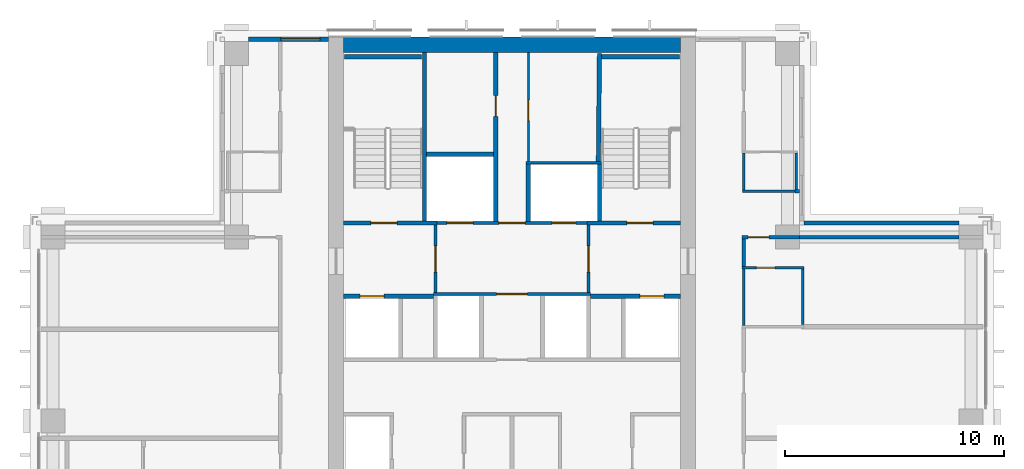
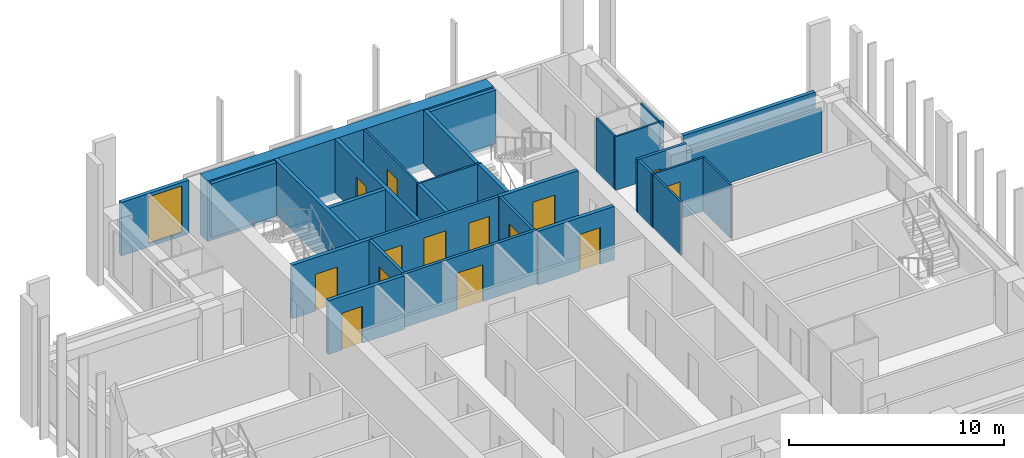
# One storey, part 12 of 16: 31 walls, 14 doors, 1 window, 15 openings.
"""IFC4 building model written with IfcOpenShell, lengths in metres."""

from ifc_helpers import new_model, si_unit, direction, frame, frame_2d, origin, place, context, subcontext, project, spatial, rectangle, extrude, material, layer, layer_set, type_object, element, fill, save


model = new_model("IFC4")

# Units and contexts
model_context = context("Model", 3, precision=1e-05, world=origin(), true_north=direction((0.0, 1.0)))
body_context = subcontext(model_context, "Body", "Model", "MODEL_VIEW")
ifc_project = project(units=[si_unit("LENGTHUNIT", "METRE"), si_unit("AREAUNIT", "SQUARE_METRE"), si_unit("VOLUMEUNIT", "CUBIC_METRE"), si_unit("PLANEANGLEUNIT", "RADIAN"), si_unit("MASSUNIT", "GRAM", prefix="KILO")], contexts=[model_context])

# Site, building, storey
site_placement = place(None, origin())
site = spatial("IfcSite", under=ifc_project, at=site_placement, CompositionType="ELEMENT")
building_placement = place(site_placement, origin())
building = spatial("IfcBuilding", under=site, at=building_placement, Name="Vermilion Ogive Tower", CompositionType="ELEMENT")
storey_placement = place(building_placement, frame((0.0, 0.0, 150.35009765625)))
storey = spatial("IfcBuildingStorey", under=building, at=storey_placement, Name="L38", CompositionType="ELEMENT", Elevation=150.35009765625)

# Wall
ifc_material_1 = material(Name="Concrete B60", Category="concrete")
ifc_layer_1 = layer(ifc_material_1, 0.699951171875)
ifc_layer_set_1 = layer_set([ifc_layer_1], Name="Core wall 700 B60")
wall_type_1 = type_object("IfcWallType", Name="Core wall 700 B60", PredefinedType="SHEAR", material=ifc_layer_set_1)
wall_1_placement = place(storey_placement, frame((-7.699951171875, 21.39990234375, -0.400146484375), z_axis=(0.0, 0.0, 1.0), x_axis=(1.0, 0.0, 0.0)))
element("IfcWall", 1, at=wall_1_placement, inside=storey, type_object=wall_type_1, Name="L38-CORE-N", PredefinedType="SHEAR", context=body_context, shape_type="SweptSolid", body=[
    extrude(rectangle(XDim=15.39990234375, YDim=0.699951171875, at=frame_2d((7.699951171875, 0.0))), origin(), (0.0, 0.0, 1.0), 3.449951171875),
])

# Wall, opening, door
ifc_material_2 = material(Name="Gypsum board partition on steel studs", Category="steel")
ifc_layer_2 = layer(ifc_material_2, 0.10009765625)
ifc_layer_set_2 = layer_set([ifc_layer_2], Name="Partition 100 bath")
wall_type_2 = type_object("IfcWallType", Name="Partition 100 bath", PredefinedType="PARTITIONING", material=ifc_layer_set_2)
wall_2_placement = place(storey_placement, frame((10.52490234375, 11.199951171875, 0.0), z_axis=(0.0, 0.0, 1.0), x_axis=(1.0, 0.0, 0.0)))
wall_2 = element("IfcWall", 2, at=wall_2_placement, inside=storey, type_object=wall_type_2, Name="L38-W-W031", PredefinedType="PARTITIONING", context=body_context, shape_type="SweptSolid", body=[
    extrude(rectangle(XDim=2.8251953125, YDim=0.10009765625, at=frame_2d((1.41259765625, 0.0))), origin(), (0.0, 0.0, 1.0), 3.0498046875),
])
opening_1_placement = place(wall_2_placement, frame((0.64990234375, 0.0, 0.0)))
opening_1 = element("IfcOpeningElement", 3, at=opening_1_placement, cuts=wall_2, Name="Opening D3G3016", PredefinedType="OPENING", context=body_context, shape_type="SweptSolid", body=[
    extrude(rectangle(XDim=0.85009765625, YDim=2.10009765625, at=frame_2d((0.425048828125, 1.050048828125))), frame((0.0, 0.06005859375, 0.0), z_axis=(0.0, -1.0, 0.0), x_axis=(1.0, 0.0, 0.0)), (0.0, 0.0, 1.0), 0.1201171875),
])
ifc_material_3 = material(Name="Timber door leaf", Category="wood")
door_type_1 = type_object("IfcDoorType", Name="Bath door 850 x 2100 FD30", OperationType="SINGLE_SWING_LEFT", PredefinedType="DOOR", material=ifc_material_3)
door_1_placement = place(opening_1_placement, origin())
door_1 = element("IfcDoor", 4, at=door_1_placement, inside=storey, type_object=door_type_1, Name="L38-D-D016", OperationType="SINGLE_SWING_RIGHT", OverallHeight=2.10009765625, OverallWidth=0.85009765625, PredefinedType="DOOR", context=body_context, shape_type="SweptSolid", body=[
    extrude(rectangle(XDim=0.85009765625, YDim=2.10009765625, at=frame_2d((0.425048828125, 1.050048828125))), frame((0.0, 0.02490234375, 0.0), z_axis=(0.0, -1.0, 0.0), x_axis=(1.0, 0.0, 0.0)), (0.0, 0.0, 1.0), 0.050048828125),
])
fill(opening_1, door_1)

# Walls
wall_3_placement = place(storey_placement, frame((10.550048828125, 14.699951171875, 0.0), z_axis=(0.0, 0.0, 1.0), x_axis=(1.0, 0.0, 0.0)))
element("IfcWall", 5, at=wall_3_placement, inside=storey, type_object=wall_type_2, Name="L38-W-W036", PredefinedType="PARTITIONING", context=body_context, shape_type="SweptSolid", body=[
    extrude(rectangle(XDim=2.5, YDim=0.10009765625, at=frame_2d((1.25, 0.0))), origin(), (0.0, 0.0, 1.0), 3.0498046875),
])
wall_4_placement = place(storey_placement, frame((10.60009765625, 8.550048828125, 0.0), z_axis=(0.0, 0.0, 1.0), x_axis=(0.0, 1.0, 0.0)))
element("IfcWall", 6, at=wall_4_placement, inside=storey, type_object=wall_type_2, Name="L38-W-W060", PredefinedType="PARTITIONING", context=body_context, shape_type="SweptSolid", body=[
    extrude(rectangle(XDim=2.599853515625, YDim=0.10009765625, at=frame_2d((1.2998046875, 0.0))), origin(), (0.0, 0.0, 1.0), 3.0498046875),
])
wall_5_placement = place(storey_placement, frame((10.60009765625, 14.75, 0.0), z_axis=(0.0, 0.0, 1.0), x_axis=(0.0, 1.0, 0.0)))
element("IfcWall", 7, at=wall_5_placement, inside=storey, type_object=wall_type_2, Name="L38-W-W062", PredefinedType="PARTITIONING", context=body_context, shape_type="SweptSolid", body=[
    extrude(rectangle(XDim=1.699951171875, YDim=0.10009765625, at=frame_2d((0.85009765625, 0.0))), origin(), (0.0, 0.0, 1.0), 3.0498046875),
])
wall_6_placement = place(storey_placement, frame((13.0, 14.77490234375, 0.0), z_axis=(0.0, 0.0, 1.0), x_axis=(0.0, 1.0, 0.0)))
element("IfcWall", 8, at=wall_6_placement, inside=storey, type_object=wall_type_2, Name="L38-W-W065", PredefinedType="PARTITIONING", context=body_context, shape_type="SweptSolid", body=[
    extrude(rectangle(XDim=1.675048828125, YDim=0.10009765625, at=frame_2d((0.83740234375, 0.0))), origin(), (0.0, 0.0, 1.0), 3.0498046875),
])
wall_7_placement = place(storey_placement, frame((13.300048828125, 8.60009765625, 0.0), z_axis=(0.0, 0.0, 1.0), x_axis=(0.0, 1.0, 0.0)))
element("IfcWall", 9, at=wall_7_placement, inside=storey, type_object=wall_type_2, Name="L38-W-W066", PredefinedType="PARTITIONING", context=body_context, shape_type="SweptSolid", body=[
    extrude(rectangle(XDim=2.5498046875, YDim=0.10009765625, at=frame_2d((1.27490234375, 0.0))), origin(), (0.0, 0.0, 1.0), 3.0498046875),
])
wall_8_placement = place(storey_placement, frame((0.64990234375, 16.0, 0.0), z_axis=(0.0, 0.0, 1.0), x_axis=(1.0, 0.0, 0.0)))
element("IfcWall", 10, at=wall_8_placement, inside=storey, type_object=wall_type_2, Name="L38-CK-W-W018", PredefinedType="PARTITIONING", context=body_context, shape_type="SweptSolid", body=[
    extrude(rectangle(XDim=3.4501953125, YDim=0.10009765625, at=frame_2d((1.72509765625, 0.0))), origin(), (0.0, 0.0, 1.0), 3.0498046875),
])

# Wall, opening, door
wall_9_placement = place(storey_placement, frame((0.75, 16.050048828125, 0.0), z_axis=(0.0, 0.0, 1.0), x_axis=(0.0, 1.0, 0.0)))
wall_9 = element("IfcWall", 11, at=wall_9_placement, inside=storey, type_object=wall_type_2, Name="L38-CK-W-W030", PredefinedType="PARTITIONING", context=body_context, shape_type="SweptSolid", body=[
    extrude(rectangle(XDim=4.9990234375, YDim=0.10009765625, at=frame_2d((2.49951171875, 0.0))), origin(), (0.0, 0.0, 1.0), 3.0498046875),
])
opening_2_placement = place(wall_9_placement, frame((1.875, 0.0, 0.0)))
opening_2 = element("IfcOpeningElement", 12, at=opening_2_placement, cuts=wall_9, Name="Opening DAA335", PredefinedType="OPENING", context=body_context, shape_type="SweptSolid", body=[
    extrude(rectangle(XDim=0.949951171875, YDim=2.10009765625, at=frame_2d((0.47509765625, 1.050048828125))), frame((0.0, 0.06005859375, 0.0), z_axis=(0.0, -1.0, 0.0), x_axis=(1.0, 0.0, 0.0)), (0.0, 0.0, 1.0), 0.1201171875),
])
ifc_material_4 = material(Name="Timber door leaf", Category="wood")
door_type_2 = type_object("IfcDoorType", Name="Service door 950 x 2100 FD60", OperationType="SINGLE_SWING_LEFT", PredefinedType="DOOR", material=ifc_material_4)
door_2_placement = place(opening_2_placement, origin())
door_2 = element("IfcDoor", 13, at=door_2_placement, inside=storey, type_object=door_type_2, Name="L38-CK-D-D022", OperationType="SINGLE_SWING_LEFT", OverallHeight=2.10009765625, OverallWidth=0.949951171875, PredefinedType="DOOR", context=body_context, shape_type="SweptSolid", body=[
    extrude(rectangle(XDim=0.949951171875, YDim=2.10009765625, at=frame_2d((0.47509765625, 1.050048828125))), frame((0.0, 0.02490234375, 0.0), z_axis=(0.0, -1.0, 0.0), x_axis=(1.0, 0.0, 0.0)), (0.0, 0.0, 1.0), 0.050048828125),
])
fill(opening_2, door_2)

ifc_material_5 = material(Name="Gypsum board partition on steel studs", Category="steel")
ifc_layer_3 = layer(ifc_material_5, 0.14990234375)
ifc_layer_set_3 = layer_set([ifc_layer_3], Name="Partition 150 corridor")
wall_type_3 = type_object("IfcWallType", Name="Partition 150 corridor", PredefinedType="PARTITIONING", material=ifc_layer_set_3)
wall_10_placement = place(storey_placement, frame((10.52490234375, 12.60009765625, 0.0), z_axis=(0.0, 0.0, 1.0), x_axis=(1.0, 0.0, 0.0)))
wall_10 = element("IfcWall", 14, at=wall_10_placement, inside=storey, type_object=wall_type_3, Name="L38-W-W033", PredefinedType="PARTITIONING", context=body_context, shape_type="SweptSolid", body=[
    extrude(rectangle(XDim=2.625, YDim=0.14990234375, at=frame_2d((1.3125, 0.0))), origin(), (0.0, 0.0, 1.0), 3.0498046875),
])
opening_3_placement = place(wall_10_placement, frame((0.275146484375, 0.0, 0.0)))
opening_3 = element("IfcOpeningElement", 15, at=opening_3_placement, cuts=wall_10, Name="Opening D3G3015", PredefinedType="OPENING", context=body_context, shape_type="SweptSolid", body=[
    extrude(rectangle(XDim=0.949951171875, YDim=2.10009765625, at=frame_2d((0.47509765625, 1.050048828125))), frame((0.0, 0.0849609375, 0.0), z_axis=(0.0, -1.0, 0.0), x_axis=(1.0, 0.0, 0.0)), (0.0, 0.0, 1.0), 0.169921875),
])
ifc_material_6 = material(Name="Timber door leaf", Category="wood")
door_type_3 = type_object("IfcDoorType", Name="Unit door 950 x 2100 FD30S", OperationType="SINGLE_SWING_LEFT", PredefinedType="DOOR", material=ifc_material_6)
door_3_placement = place(opening_3_placement, origin())
door_3 = element("IfcDoor", 16, at=door_3_placement, inside=storey, type_object=door_type_3, Name="L38-D-D015", OperationType="SINGLE_SWING_RIGHT", OverallHeight=2.10009765625, OverallWidth=0.949951171875, PredefinedType="DOOR", context=body_context, shape_type="SweptSolid", body=[
    extrude(rectangle(XDim=0.949951171875, YDim=2.10009765625, at=frame_2d((0.47509765625, 1.050048828125))), frame((0.0, 0.02490234375, 0.0), z_axis=(0.0, -1.0, 0.0), x_axis=(1.0, 0.0, 0.0)), (0.0, 0.0, 1.0), 0.050048828125),
])
fill(opening_3, door_3)

# Walls
wall_11_placement = place(storey_placement, frame((12.949951171875, 14.699951171875, 0.0), z_axis=(0.0, 0.0, 1.0), x_axis=(1.0, 0.0, 0.0)))
element("IfcWall", 17, at=wall_11_placement, inside=storey, type_object=wall_type_3, Name="L38-W-W037", PredefinedType="PARTITIONING", context=body_context, shape_type="SweptSolid", body=[
    extrude(rectangle(XDim=0.199951171875, YDim=0.14990234375, at=frame_2d((0.10009765625, 0.0))), origin(), (0.0, 0.0, 1.0), 3.0498046875),
])
wall_12_placement = place(storey_placement, frame((10.60009765625, 11.25, 0.0), z_axis=(0.0, 0.0, 1.0), x_axis=(0.0, 1.0, 0.0)))
element("IfcWall", 18, at=wall_12_placement, inside=storey, type_object=wall_type_3, Name="L38-W-W061", PredefinedType="PARTITIONING", context=body_context, shape_type="SweptSolid", body=[
    extrude(rectangle(XDim=1.27490234375, YDim=0.14990234375, at=frame_2d((0.637451171875, 0.0))), origin(), (0.0, 0.0, 1.0), 3.0498046875),
])

# Wall, opening, door
wall_13_placement = place(storey_placement, frame((-3.60009765625, 10.0, 0.0), z_axis=(0.0, 0.0, 1.0), x_axis=(1.0, 0.0, 0.0)))
wall_13 = element("IfcWall", 19, at=wall_13_placement, inside=storey, type_object=wall_type_3, Name="L38-CK-W-W014", PredefinedType="PARTITIONING", context=body_context, shape_type="SweptSolid", body=[
    extrude(rectangle(XDim=7.2001953125, YDim=0.14990234375, at=frame_2d((3.60009765625, 0.0))), origin(), (0.0, 0.0, 1.0), 3.0498046875),
])
opening_4_placement = place(wall_13_placement, frame((2.900146484375, 0.0, 0.0)))
opening_4 = element("IfcOpeningElement", 20, at=opening_4_placement, cuts=wall_13, Name="Opening DAA326", PredefinedType="OPENING", context=body_context, shape_type="SweptSolid", body=[
    extrude(rectangle(XDim=1.39990234375, YDim=2.10009765625, at=frame_2d((0.699951171875, 1.050048828125))), frame((0.0, 0.0849609375, 0.0), z_axis=(0.0, -1.0, 0.0), x_axis=(1.0, 0.0, 0.0)), (0.0, 0.0, 1.0), 0.169921875),
])
ifc_material_7 = material(Name="Timber door leaf", Category="wood")
door_type_4 = type_object("IfcDoorType", Name="Lobby door 1400 x 2100 FD60S", OperationType="SINGLE_SWING_LEFT", PredefinedType="DOOR", material=ifc_material_7)
door_4_placement = place(opening_4_placement, origin())
door_4 = element("IfcDoor", 21, at=door_4_placement, inside=storey, type_object=door_type_4, Name="L38-CK-D-D017", OperationType="SINGLE_SWING_RIGHT", OverallHeight=2.10009765625, OverallWidth=1.39990234375, PredefinedType="DOOR", context=body_context, shape_type="SweptSolid", body=[
    extrude(rectangle(XDim=1.39990234375, YDim=2.10009765625, at=frame_2d((0.699951171875, 1.050048828125))), frame((0.0, 0.02490234375, 0.0), z_axis=(0.0, -1.0, 0.0), x_axis=(1.0, 0.0, 0.0)), (0.0, 0.0, 1.0), 0.050048828125),
])
fill(opening_4, door_4)

# Wall, openings, doors
wall_14_placement = place(storey_placement, frame((-3.574951171875, 13.25, 0.0), z_axis=(0.0, 0.0, 1.0), x_axis=(1.0, 0.0, 0.0)))
wall_14 = element("IfcWall", 22, at=wall_14_placement, inside=storey, type_object=wall_type_3, Name="L38-CK-W-W016", PredefinedType="PARTITIONING", context=body_context, shape_type="SweptSolid", body=[
    extrude(rectangle(XDim=7.14990234375, YDim=0.14990234375, at=frame_2d((3.574951171875, 0.0))), origin(), (0.0, 0.0, 1.0), 3.0498046875),
])
opening_5_placement = place(wall_14_placement, frame((0.599853515625, 0.0, 0.0)))
opening_5 = element("IfcOpeningElement", 23, at=opening_5_placement, cuts=wall_14, Name="Opening DAA346", PredefinedType="OPENING", context=body_context, shape_type="SweptSolid", body=[
    extrude(rectangle(XDim=1.199951171875, YDim=2.10009765625, at=frame_2d((0.60009765625, 1.050048828125))), frame((0.0, 0.0849609375, 0.0), z_axis=(0.0, -1.0, 0.0), x_axis=(1.0, 0.0, 0.0)), (0.0, 0.0, 1.0), 0.169921875),
])
opening_6_placement = place(wall_14_placement, frame((5.39990234375, 0.0, 0.0)))
opening_6 = element("IfcOpeningElement", 24, at=opening_6_placement, cuts=wall_14, Name="Opening DAA345", PredefinedType="OPENING", context=body_context, shape_type="SweptSolid", body=[
    extrude(rectangle(XDim=1.10009765625, YDim=2.10009765625, at=frame_2d((0.550048828125, 1.050048828125))), frame((0.0, 0.0849609375, 0.0), z_axis=(0.0, -1.0, 0.0), x_axis=(1.0, 0.0, 0.0)), (0.0, 0.0, 1.0), 0.169921875),
])
opening_7_placement = place(wall_14_placement, frame((2.974853515625, 0.0, 0.0)))
opening_7 = element("IfcOpeningElement", 25, at=opening_7_placement, cuts=wall_14, Name="Opening DAA327", PredefinedType="OPENING", context=body_context, shape_type="SweptSolid", body=[
    extrude(rectangle(XDim=1.199951171875, YDim=2.10009765625, at=frame_2d((0.60009765625, 1.050048828125))), frame((0.0, 0.0849609375, 0.0), z_axis=(0.0, -1.0, 0.0), x_axis=(1.0, 0.0, 0.0)), (0.0, 0.0, 1.0), 0.169921875),
])
ifc_material_8 = material(Name="Stainless steel", Category="steel")
door_type_5 = type_object("IfcDoorType", Name="Lift landing door 1100 x 2100", OperationType="SLIDING_TO_LEFT", PredefinedType="DOOR", material=ifc_material_8)
door_5_placement = place(opening_6_placement, origin())
door_5 = element("IfcDoor", 26, at=door_5_placement, inside=storey, type_object=door_type_5, Name="L38-CK-D-D019", OperationType="SLIDING_TO_LEFT", OverallHeight=2.10009765625, OverallWidth=1.10009765625, PredefinedType="DOOR", context=body_context, shape_type="SweptSolid", body=[
    extrude(rectangle(XDim=1.10009765625, YDim=2.10009765625, at=frame_2d((0.550048828125, 1.050048828125))), frame((0.0, 0.02490234375, 0.0), z_axis=(0.0, -1.0, 0.0), x_axis=(1.0, 0.0, 0.0)), (0.0, 0.0, 1.0), 0.050048828125),
])
fill(opening_6, door_5)
ifc_material_9 = material(Name="Stainless steel", Category="steel")
door_type_6 = type_object("IfcDoorType", Name="Lift landing door 1200 x 2100", OperationType="SLIDING_TO_LEFT", PredefinedType="DOOR", material=ifc_material_9)
door_6_placement = place(opening_5_placement, origin())
door_6 = element("IfcDoor", 27, at=door_6_placement, inside=storey, type_object=door_type_6, Name="L38-CK-D-D018", OperationType="SLIDING_TO_RIGHT", OverallHeight=2.10009765625, OverallWidth=1.199951171875, PredefinedType="DOOR", context=body_context, shape_type="SweptSolid", body=[
    extrude(rectangle(XDim=1.199951171875, YDim=2.10009765625, at=frame_2d((0.60009765625, 1.050048828125))), frame((0.0, 0.02490234375, 0.0), z_axis=(0.0, -1.0, 0.0), x_axis=(1.0, 0.0, 0.0)), (0.0, 0.0, 1.0), 0.050048828125),
])
fill(opening_5, door_6)
ifc_material_10 = material(Name="Timber door leaf", Category="wood")
door_type_7 = type_object("IfcDoorType", Name="Service door 1200 x 2100 FD60", OperationType="SINGLE_SWING_LEFT", PredefinedType="DOOR", material=ifc_material_10)
door_7_placement = place(opening_7_placement, origin())
door_7 = element("IfcDoor", 28, at=door_7_placement, inside=storey, type_object=door_type_7, Name="L38-CK-D-D020", OperationType="SINGLE_SWING_RIGHT", OverallHeight=2.10009765625, OverallWidth=1.199951171875, PredefinedType="DOOR", context=body_context, shape_type="SweptSolid", body=[
    extrude(rectangle(XDim=1.199951171875, YDim=2.10009765625, at=frame_2d((0.60009765625, 1.050048828125))), frame((0.0, 0.02490234375, 0.0), z_axis=(0.0, -1.0, 0.0), x_axis=(1.0, 0.0, 0.0)), (0.0, 0.0, 1.0), 0.050048828125),
])
fill(opening_7, door_7)

# Wall, opening, door
wall_15_placement = place(storey_placement, frame((-3.5, 10.074951171875, 0.0), z_axis=(0.0, 0.0, 1.0), x_axis=(0.0, 1.0, 0.0)))
wall_15 = element("IfcWall", 29, at=wall_15_placement, inside=storey, type_object=wall_type_3, Name="L38-CK-W-W024", PredefinedType="PARTITIONING", context=body_context, shape_type="SweptSolid", body=[
    extrude(rectangle(XDim=3.074951171875, YDim=0.14990234375, at=frame_2d((1.53759765625, 0.0))), origin(), (0.0, 0.0, 1.0), 3.0498046875),
])
opening_8_placement = place(wall_15_placement, frame((0.925048828125, 0.0, 0.0)))
opening_8 = element("IfcOpeningElement", 30, at=opening_8_placement, cuts=wall_15, Name="Opening DAA323", PredefinedType="OPENING", context=body_context, shape_type="SweptSolid", body=[
    extrude(rectangle(XDim=1.199951171875, YDim=2.10009765625, at=frame_2d((0.60009765625, 1.050048828125))), frame((0.0, 0.0849609375, 0.0), z_axis=(0.0, -1.0, 0.0), x_axis=(1.0, 0.0, 0.0)), (0.0, 0.0, 1.0), 0.169921875),
])
ifc_material_11 = material(Name="Timber door leaf", Category="wood")
door_type_8 = type_object("IfcDoorType", Name="Lobby door 1200 x 2100 FD60S", OperationType="SINGLE_SWING_LEFT", PredefinedType="DOOR", material=ifc_material_11)
door_8_placement = place(opening_8_placement, origin())
door_8 = element("IfcDoor", 31, at=door_8_placement, inside=storey, type_object=door_type_8, Name="L38-CK-D-D023", OperationType="SINGLE_SWING_RIGHT", OverallHeight=2.10009765625, OverallWidth=1.199951171875, PredefinedType="DOOR", context=body_context, shape_type="SweptSolid", body=[
    extrude(rectangle(XDim=1.199951171875, YDim=2.10009765625, at=frame_2d((0.60009765625, 1.050048828125))), frame((0.0, 0.02490234375, 0.0), z_axis=(0.0, -1.0, 0.0), x_axis=(1.0, 0.0, 0.0)), (0.0, 0.0, 1.0), 0.050048828125),
])
fill(opening_8, door_8)

wall_16_placement = place(storey_placement, frame((3.5, 10.074951171875, 0.0), z_axis=(0.0, 0.0, 1.0), x_axis=(0.0, 1.0, 0.0)))
wall_16 = element("IfcWall", 32, at=wall_16_placement, inside=storey, type_object=wall_type_3, Name="L38-CK-W-W034", PredefinedType="PARTITIONING", context=body_context, shape_type="SweptSolid", body=[
    extrude(rectangle(XDim=3.074951171875, YDim=0.14990234375, at=frame_2d((1.53759765625, 0.0))), origin(), (0.0, 0.0, 1.0), 3.0498046875),
])
opening_9_placement = place(wall_16_placement, frame((0.925048828125, 0.0, 0.0)))
opening_9 = element("IfcOpeningElement", 33, at=opening_9_placement, cuts=wall_16, Name="Opening DAA324", PredefinedType="OPENING", context=body_context, shape_type="SweptSolid", body=[
    extrude(rectangle(XDim=1.199951171875, YDim=2.10009765625, at=frame_2d((0.60009765625, 1.050048828125))), frame((0.0, 0.0849609375, 0.0), z_axis=(0.0, -1.0, 0.0), x_axis=(1.0, 0.0, 0.0)), (0.0, 0.0, 1.0), 0.169921875),
])
door_9_placement = place(opening_9_placement, origin())
door_9 = element("IfcDoor", 34, at=door_9_placement, inside=storey, type_object=door_type_8, Name="L38-CK-D-D024", OperationType="SINGLE_SWING_LEFT", OverallHeight=2.10009765625, OverallWidth=1.199951171875, PredefinedType="DOOR", context=body_context, shape_type="SweptSolid", body=[
    extrude(rectangle(XDim=1.199951171875, YDim=2.10009765625, at=frame_2d((0.60009765625, 1.050048828125))), frame((0.0, 0.02490234375, 0.0), z_axis=(0.0, -1.0, 0.0), x_axis=(1.0, 0.0, 0.0)), (0.0, 0.0, 1.0), 0.050048828125),
])
fill(opening_9, door_9)

# Wall
wall_17_placement = place(storey_placement, frame((13.14990234375, 12.60009765625, 0.0), z_axis=(0.0, 0.0, 1.0), x_axis=(1.0, 0.0, 0.0)))
element("IfcWall", 35, at=wall_17_placement, inside=storey, type_object=wall_type_3, Name="L38-W-W033-h1", PredefinedType="PARTITIONING", context=body_context, shape_type="SweptSolid", body=[
    extrude(rectangle(XDim=7.300048828125, YDim=0.14990234375, at=frame_2d((3.64990234375, 0.0))), origin(), (0.0, 0.0, 1.0), 2.5),
])

# Wall, opening, door
ifc_material_12 = material(Name="Gypsum board partition on steel studs", Category="steel")
ifc_layer_4 = layer(ifc_material_12, 0.199951171875)
ifc_layer_set_4 = layer_set([ifc_layer_4], Name="Partition 200 party")
wall_type_4 = type_object("IfcWallType", Name="Partition 200 party", PredefinedType="PARTITIONING", material=ifc_layer_set_4)
wall_18_placement = place(storey_placement, frame((-7.698974609375, 9.89990234375, 0.0), z_axis=(0.0, 0.0, 1.0), x_axis=(1.0, 0.0, 0.0)))
wall_18 = element("IfcWall", 36, at=wall_18_placement, inside=storey, type_object=wall_type_4, Name="L38-CK-W-W012", PredefinedType="PARTITIONING", context=body_context, shape_type="SweptSolid", body=[
    extrude(rectangle(XDim=4.098876953125, YDim=0.199951171875, at=frame_2d((2.04931640625, 0.0))), origin(), (0.0, 0.0, 1.0), 3.0498046875),
])
opening_10_placement = place(wall_18_placement, frame((0.7490234375, 0.0, 0.0)))
opening_10 = element("IfcOpeningElement", 37, at=opening_10_placement, cuts=wall_18, Name="Opening DAA343", PredefinedType="OPENING", context=body_context, shape_type="SweptSolid", body=[
    extrude(rectangle(XDim=1.10009765625, YDim=2.10009765625, at=frame_2d((0.550048828125, 1.050048828125))), frame((0.0, 0.10986328125, 0.0), z_axis=(0.0, -1.0, 0.0), x_axis=(1.0, 0.0, 0.0)), (0.0, 0.0, 1.0), 0.219970703125),
])
door_10_placement = place(opening_10_placement, origin())
door_10 = element("IfcDoor", 38, at=door_10_placement, inside=storey, type_object=door_type_5, Name="L38-CK-D-D013", OperationType="SLIDING_TO_RIGHT", OverallHeight=2.10009765625, OverallWidth=1.10009765625, PredefinedType="DOOR", context=body_context, shape_type="SweptSolid", body=[
    extrude(rectangle(XDim=1.10009765625, YDim=2.10009765625, at=frame_2d((0.550048828125, 1.050048828125))), frame((0.0, 0.02490234375, 0.0), z_axis=(0.0, -1.0, 0.0), x_axis=(1.0, 0.0, 0.0)), (0.0, 0.0, 1.0), 0.050048828125),
])
fill(opening_10, door_10)

wall_19_placement = place(storey_placement, frame((3.60009765625, 9.89990234375, 0.0), z_axis=(0.0, 0.0, 1.0), x_axis=(1.0, 0.0, 0.0)))
wall_19 = element("IfcWall", 39, at=wall_19_placement, inside=storey, type_object=wall_type_4, Name="L38-CK-W-W013", PredefinedType="PARTITIONING", context=body_context, shape_type="SweptSolid", body=[
    extrude(rectangle(XDim=4.098876953125, YDim=0.199951171875, at=frame_2d((2.04931640625, 0.0))), origin(), (0.0, 0.0, 1.0), 3.0498046875),
])
opening_11_placement = place(wall_19_placement, frame((2.25, 0.0, 0.0)))
opening_11 = element("IfcOpeningElement", 40, at=opening_11_placement, cuts=wall_19, Name="Opening DAA344", PredefinedType="OPENING", context=body_context, shape_type="SweptSolid", body=[
    extrude(rectangle(XDim=1.10009765625, YDim=2.10009765625, at=frame_2d((0.550048828125, 1.050048828125))), frame((0.0, 0.10986328125, 0.0), z_axis=(0.0, -1.0, 0.0), x_axis=(1.0, 0.0, 0.0)), (0.0, 0.0, 1.0), 0.219970703125),
])
door_11_placement = place(opening_11_placement, origin())
door_11 = element("IfcDoor", 41, at=door_11_placement, inside=storey, type_object=door_type_5, Name="L38-CK-D-D015", OperationType="SLIDING_TO_LEFT", OverallHeight=2.10009765625, OverallWidth=1.10009765625, PredefinedType="DOOR", context=body_context, shape_type="SweptSolid", body=[
    extrude(rectangle(XDim=1.10009765625, YDim=2.10009765625, at=frame_2d((0.550048828125, 1.050048828125))), frame((0.0, 0.02490234375, 0.0), z_axis=(0.0, -1.0, 0.0), x_axis=(1.0, 0.0, 0.0)), (0.0, 0.0, 1.0), 0.050048828125),
])
fill(opening_11, door_11)

# Wall
wall_20_placement = place(storey_placement, frame((-3.89990234375, 16.39990234375, 0.0), z_axis=(0.0, 0.0, 1.0), x_axis=(1.0, 0.0, 0.0)))
element("IfcWall", 42, at=wall_20_placement, inside=storey, type_object=wall_type_4, Name="L38-CK-W-W019", PredefinedType="PARTITIONING", context=body_context, shape_type="SweptSolid", body=[
    extrude(rectangle(XDim=3.0498046875, YDim=0.199951171875, at=frame_2d((1.52490234375, 0.0))), origin(), (0.0, 0.0, 1.0), 3.0498046875),
])

# Wall, opening, door
wall_21_placement = place(storey_placement, frame((-0.75, 13.324951171875, 0.0), z_axis=(0.0, 0.0, 1.0), x_axis=(0.0, 1.0, 0.0)))
wall_21 = element("IfcWall", 43, at=wall_21_placement, inside=storey, type_object=wall_type_4, Name="L38-CK-W-W027", PredefinedType="PARTITIONING", context=body_context, shape_type="SweptSolid", body=[
    extrude(rectangle(XDim=7.72412109375, YDim=0.199951171875, at=frame_2d((3.862060546875, 0.0))), origin(), (0.0, 0.0, 1.0), 3.0498046875),
])
opening_12_placement = place(wall_21_placement, frame((4.800048828125, 0.0, 0.0)))
opening_12 = element("IfcOpeningElement", 44, at=opening_12_placement, cuts=wall_21, Name="Opening DAA334", PredefinedType="OPENING", context=body_context, shape_type="SweptSolid", body=[
    extrude(rectangle(XDim=0.949951171875, YDim=2.10009765625, at=frame_2d((0.47509765625, 1.050048828125))), frame((0.0, 0.10986328125, 0.0), z_axis=(0.0, -1.0, 0.0), x_axis=(1.0, 0.0, 0.0)), (0.0, 0.0, 1.0), 0.219970703125),
])
door_12_placement = place(opening_12_placement, origin())
door_12 = element("IfcDoor", 45, at=door_12_placement, inside=storey, type_object=door_type_2, Name="L38-CK-D-D021", OperationType="SINGLE_SWING_RIGHT", OverallHeight=2.10009765625, OverallWidth=0.949951171875, PredefinedType="DOOR", context=body_context, shape_type="SweptSolid", body=[
    extrude(rectangle(XDim=0.949951171875, YDim=2.10009765625, at=frame_2d((0.47509765625, 1.050048828125))), frame((0.0, 0.02490234375, 0.0), z_axis=(0.0, -1.0, 0.0), x_axis=(1.0, 0.0, 0.0)), (0.0, 0.0, 1.0), 0.050048828125),
])
fill(opening_12, door_12)

# Wall
wall_22_placement = place(storey_placement, frame((0.75, 13.324951171875, 0.0), z_axis=(0.0, 0.0, 1.0), x_axis=(0.0, 1.0, 0.0)))
element("IfcWall", 46, at=wall_22_placement, inside=storey, type_object=wall_type_4, Name="L38-CK-W-W029", PredefinedType="PARTITIONING", context=body_context, shape_type="SweptSolid", body=[
    extrude(rectangle(XDim=2.625, YDim=0.199951171875, at=frame_2d((1.3125, 0.0))), origin(), (0.0, 0.0, 1.0), 3.0498046875),
])

# Wall, opening, door
ifc_material_13 = material(Name="Concrete B60", Category="concrete")
ifc_layer_5 = layer(ifc_material_13, 0.199951171875)
ifc_layer_set_5 = layer_set([ifc_layer_5], Name="Stair shaft wall 200 Concrete B60")
wall_type_5 = type_object("IfcWallType", Name="Stair shaft wall 200 Concrete B60", PredefinedType="SOLIDWALL", material=ifc_layer_set_5)
wall_23_placement = place(storey_placement, frame((-7.698974609375, 13.25, 0.0), z_axis=(0.0, 0.0, 1.0), x_axis=(1.0, 0.0, 0.0)))
wall_23 = element("IfcWall", 47, at=wall_23_placement, inside=storey, type_object=wall_type_5, Name="L38-CK-W-W015", PredefinedType="SOLIDWALL", context=body_context, shape_type="SweptSolid", body=[
    extrude(rectangle(XDim=4.27392578125, YDim=0.199951171875, at=frame_2d((2.136962890625, 0.0))), origin(), (0.0, 0.0, 1.0), 3.0498046875),
])
opening_13_placement = place(wall_23_placement, frame((1.2490234375, 0.0, 0.0)))
opening_13 = element("IfcOpeningElement", 48, at=opening_13_placement, cuts=wall_23, Name="Opening DAA336", PredefinedType="OPENING", context=body_context, shape_type="SweptSolid", body=[
    extrude(rectangle(XDim=1.199951171875, YDim=2.10009765625, at=frame_2d((0.60009765625, 1.050048828125))), frame((0.0, 0.10986328125, 0.0), z_axis=(0.0, -1.0, 0.0), x_axis=(1.0, 0.0, 0.0)), (0.0, 0.0, 1.0), 0.219970703125),
])
ifc_material_14 = material(Name="Timber door leaf", Category="wood")
door_type_9 = type_object("IfcDoorType", Name="Stair door 1200 x 2100 FD60S", OperationType="SINGLE_SWING_LEFT", PredefinedType="DOOR", material=ifc_material_14)
door_13_placement = place(opening_13_placement, origin())
door_13 = element("IfcDoor", 49, at=door_13_placement, inside=storey, type_object=door_type_9, Name="L38-CK-D-D012", OperationType="SINGLE_SWING_LEFT", OverallHeight=2.10009765625, OverallWidth=1.199951171875, PredefinedType="DOOR", context=body_context, shape_type="SweptSolid", body=[
    extrude(rectangle(XDim=1.199951171875, YDim=2.10009765625, at=frame_2d((0.60009765625, 1.050048828125))), frame((0.0, 0.02490234375, 0.0), z_axis=(0.0, -1.0, 0.0), x_axis=(1.0, 0.0, 0.0)), (0.0, 0.0, 1.0), 0.050048828125),
])
fill(opening_13, door_13)

wall_24_placement = place(storey_placement, frame((3.425048828125, 13.25, 0.0), z_axis=(0.0, 0.0, 1.0), x_axis=(1.0, 0.0, 0.0)))
wall_24 = element("IfcWall", 50, at=wall_24_placement, inside=storey, type_object=wall_type_5, Name="L38-CK-W-W017", PredefinedType="SOLIDWALL", context=body_context, shape_type="SweptSolid", body=[
    extrude(rectangle(XDim=4.27392578125, YDim=0.199951171875, at=frame_2d((2.136962890625, 0.0))), origin(), (0.0, 0.0, 1.0), 3.0498046875),
])
opening_14_placement = place(wall_24_placement, frame((1.824951171875, 0.0, 0.0)))
opening_14 = element("IfcOpeningElement", 51, at=opening_14_placement, cuts=wall_24, Name="Opening DAA337", PredefinedType="OPENING", context=body_context, shape_type="SweptSolid", body=[
    extrude(rectangle(XDim=1.199951171875, YDim=2.10009765625, at=frame_2d((0.60009765625, 1.050048828125))), frame((0.0, 0.10986328125, 0.0), z_axis=(0.0, -1.0, 0.0), x_axis=(1.0, 0.0, 0.0)), (0.0, 0.0, 1.0), 0.219970703125),
])
door_14_placement = place(opening_14_placement, origin())
door_14 = element("IfcDoor", 52, at=door_14_placement, inside=storey, type_object=door_type_9, Name="L38-CK-D-D014", OperationType="SINGLE_SWING_RIGHT", OverallHeight=2.10009765625, OverallWidth=1.199951171875, PredefinedType="DOOR", context=body_context, shape_type="SweptSolid", body=[
    extrude(rectangle(XDim=1.199951171875, YDim=2.10009765625, at=frame_2d((0.60009765625, 1.050048828125))), frame((0.0, 0.02490234375, 0.0), z_axis=(0.0, -1.0, 0.0), x_axis=(1.0, 0.0, 0.0)), (0.0, 0.0, 1.0), 0.050048828125),
])
fill(opening_14, door_14)

# Walls
wall_25_placement = place(storey_placement, frame((-4.0, 13.35009765625, 0.0), z_axis=(0.0, 0.0, 1.0), x_axis=(0.0, 1.0, 0.0)))
element("IfcWall", 53, at=wall_25_placement, inside=storey, type_object=wall_type_5, Name="L38-CK-W-W022", PredefinedType="SOLIDWALL", context=body_context, shape_type="SweptSolid", body=[
    extrude(rectangle(XDim=7.698974609375, YDim=0.199951171875, at=frame_2d((3.849609375, 0.0))), origin(), (0.0, 0.0, 1.0), 3.0498046875),
])
wall_26_placement = place(storey_placement, frame((4.0, 13.35009765625, 0.0), z_axis=(0.0, 0.0, 1.0), x_axis=(0.0, 1.0, 0.0)))
element("IfcWall", 54, at=wall_26_placement, inside=storey, type_object=wall_type_5, Name="L38-CK-W-W035", PredefinedType="SOLIDWALL", context=body_context, shape_type="SweptSolid", body=[
    extrude(rectangle(XDim=2.599853515625, YDim=0.199951171875, at=frame_2d((1.2998046875, 0.0))), origin(), (0.0, 0.0, 1.0), 3.0498046875),
])
wall_27_placement = place(storey_placement, frame((3.949951171875, 16.050048828125, 0.0), z_axis=(0.0, 0.0, 1.0), x_axis=(0.010112452169, 0.999948867848, 0.0)))
element("IfcWall", 55, at=wall_27_placement, inside=storey, type_object=wall_type_5, Name="L38-CK-W-W036", PredefinedType="SOLIDWALL", context=body_context, shape_type="SweptSolid", body=[
    extrude(rectangle(XDim=4.94921875, YDim=0.199951171875, at=frame_2d((2.474609375, 0.0))), origin(), (0.0, 0.0, 1.0), 3.0498046875),
])
wall_28_placement = place(storey_placement, frame((-7.64990234375, 20.85009765625, 0.0), z_axis=(0.0, 0.0, 1.0), x_axis=(1.0, 0.0, 0.0)))
element("IfcWall", 56, at=wall_28_placement, inside=storey, type_object=wall_type_5, Name="L38-SW-R017-N1", PredefinedType="SOLIDWALL", context=body_context, shape_type="SweptSolid", body=[
    extrude(rectangle(XDim=3.5, YDim=0.199951171875, at=frame_2d((1.75, 0.0))), origin(), (0.0, 0.0, 1.0), 3.0498046875),
])
wall_29_placement = place(storey_placement, frame((4.10009765625, 20.85009765625, 0.0), z_axis=(0.0, 0.0, 1.0), x_axis=(1.0, 0.0, 0.0)))
element("IfcWall", 57, at=wall_29_placement, inside=storey, type_object=wall_type_5, Name="L38-SW-R021-N1", PredefinedType="SOLIDWALL", context=body_context, shape_type="SweptSolid", body=[
    extrude(rectangle(XDim=3.5498046875, YDim=0.199951171875, at=frame_2d((1.77490234375, 0.0))), origin(), (0.0, 0.0, 1.0), 3.0498046875),
])
ifc_material_15 = material(Name="Aluminium window wall framing", Category="aluminium")
ifc_layer_6 = layer(ifc_material_15, 0.199951171875)
ifc_layer_set_6 = layer_set([ifc_layer_6], Name="Window wall")
wall_type_6 = type_object("IfcWallType", Name="Window wall", PredefinedType="STANDARD", material=ifc_layer_set_6)
wall_30_placement = place(storey_placement, frame((20.449951171875, 13.25, 0.0), z_axis=(0.0, 0.0, 1.0), x_axis=(-1.0, 0.0, 0.0)))
element("IfcWall", 58, at=wall_30_placement, inside=storey, type_object=wall_type_6, Name="Window wall X31", PredefinedType="STANDARD", context=body_context, shape_type="SweptSolid", body=[
    extrude(rectangle(XDim=7.099853515625, YDim=0.199951171875, at=frame_2d((3.5498046875, 0.0))), origin(), (0.0, 0.0, 1.0), 3.0498046875),
])

# Wall, opening, window
wall_31_placement = place(storey_placement, frame((-8.39990234375, 21.64990234375, 0.0), z_axis=(0.0, 0.0, 1.0), x_axis=(-1.0, 0.0, 0.0)))
wall_31 = element("IfcWall", 59, at=wall_31_placement, inside=storey, type_object=wall_type_6, Name="Window wall N21", PredefinedType="STANDARD", context=body_context, shape_type="SweptSolid", body=[
    extrude(rectangle(XDim=3.650146484375, YDim=0.199951171875, at=frame_2d((1.8251953125, 0.0))), origin(), (0.0, 0.0, 1.0), 3.0498046875),
])
opening_15_placement = place(wall_31_placement, frame((0.375, 0.0, 0.199951171875)))
opening_15 = element("IfcOpeningElement", 60, at=opening_15_placement, cuts=wall_31, Name="Opening W1-N297", PredefinedType="OPENING", context=body_context, shape_type="SweptSolid", body=[
    extrude(rectangle(XDim=1.800048828125, YDim=2.64990234375, at=frame_2d((0.89990234375, 1.324951171875))), frame((0.0, 0.10986328125, 0.0), z_axis=(0.0, -1.0, 0.0), x_axis=(1.0, 0.0, 0.0)), (0.0, 0.0, 1.0), 0.219970703125),
])
ifc_material_16 = material(Name="Aluminium framed double glazing", Category="aluminium")
window_type = type_object("IfcWindowType", Name="Guest window W1", PartitioningType="SINGLE_PANEL", PredefinedType="WINDOW", material=ifc_material_16)
window_placement = place(opening_15_placement, origin())
window = element("IfcWindow", 61, at=window_placement, inside=storey, type_object=window_type, Name="Window N297", OverallHeight=2.64990234375, OverallWidth=1.800048828125, PartitioningType="SINGLE_PANEL", PredefinedType="WINDOW", context=body_context, shape_type="SweptSolid", body=[
    extrude(rectangle(XDim=1.800048828125, YDim=2.64990234375, at=frame_2d((0.89990234375, 1.324951171875))), frame((0.0, 0.030029296875, 0.0), z_axis=(0.0, -1.0, 0.0), x_axis=(1.0, 0.0, 0.0)), (0.0, 0.0, 1.0), 0.06005859375),
])
fill(opening_15, window)

save(model, "model.ifc")
